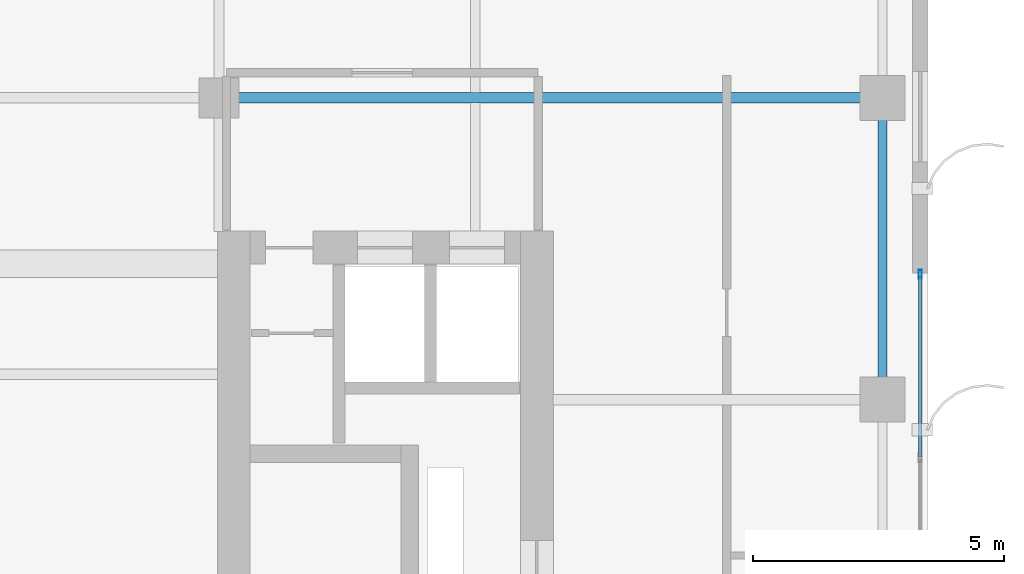
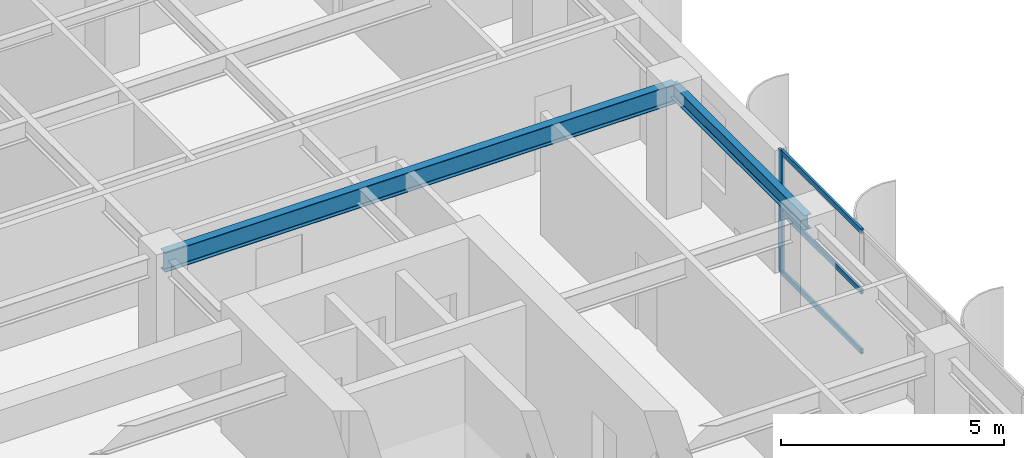
# One storey, part 12 of 25: 4 members, 2 beams, 1 element without a shape of its own.
"""IFC4 building model written with IfcOpenShell, lengths in metres."""

import ifcopenshell
import ifcopenshell.guid

model = None  # the IFC model being written
_history = None  # IfcOwnerHistory: only IFC2X3 demands one
_inside = {}  # id of a spatial element -> (the spatial element, [elements in it])
_under = {}  # id of a project, library or spatial element -> (it, [spatial elements below it])
_declared = {}  # id of a project -> (the project, [libraries it declares])
_typed = {}  # id of a type object -> (the type object, [elements of that type])
_made_of = {}  # id of a material, layer set ... -> (it, [elements and type objects made of it])


def new_model(schema):
    """Start an empty IFC model of exactly this schema.

    Asked for "IFC4X3", IfcOpenShell would pick the latest addendum, in which some entities
    have other attributes; the version numbers below select the first issue.
    IFC2X3 requires an IfcOwnerHistory on every rooted entity: one is made here for all.
    """
    global model, _history
    if schema == "IFC4X3":
        model = ifcopenshell.file(schema_version=(4, 3, 0, 0))
    else:
        model = ifcopenshell.file(schema=schema)
    _inside.clear()
    _under.clear()
    _declared.clear()
    _typed.clear()
    _made_of.clear()
    _history = None
    if model.schema == "IFC2X3":
        org = make("IfcOrganization", Name="unknown")
        user = make(
            "IfcPersonAndOrganization",
            ThePerson=make("IfcPerson", FamilyName="unknown"),
            TheOrganization=org,
        )
        app = make(
            "IfcApplication",
            ApplicationDeveloper=org,
            Version="unknown",
            ApplicationFullName="unknown",
            ApplicationIdentifier="unknown",
        )
        _history = make(
            "IfcOwnerHistory",
            OwningUser=user,
            OwningApplication=app,
            ChangeAction="ADDED",
            CreationDate=0,
        )
    return model


def make(cls, **values):
    """One entity of the class cls with the attributes given. An attribute that is None is left unset."""
    return model.create_entity(
        cls, **{name: value for name, value in values.items() if value is not None}
    )


def rooted(cls, **values):
    """An entity with a GlobalId (a new one), such as an element, a storey or a relation."""
    return make(cls, GlobalId=ifcopenshell.guid.new(), OwnerHistory=_history, **values)


def si_unit(unit_type, name, prefix=None):
    """IfcSIUnit, for example si_unit("LENGTHUNIT", "METRE", prefix="MILLI")."""
    return make("IfcSIUnit", UnitType=unit_type, Prefix=prefix, Name=name)


def assignment(units):
    """IfcUnitAssignment: the units of a project."""
    return None if units is None else make("IfcUnitAssignment", Units=units)


def point(xyz):
    """IfcCartesianPoint."""
    return None if xyz is None else make("IfcCartesianPoint", Coordinates=xyz)


def direction(xyz):
    """IfcDirection."""
    return None if xyz is None else make("IfcDirection", DirectionRatios=xyz)


def frame(location, z_axis=None, x_axis=None):
    """IfcAxis2Placement3D, a coordinate frame: its origin and axes. An axis left out is left unset."""
    return make(
        "IfcAxis2Placement3D",
        Location=point(location),
        Axis=direction(z_axis),
        RefDirection=direction(x_axis),
    )


def frame_2d(location, x_axis=None):
    """IfcAxis2Placement2D, a coordinate frame in the plane: its origin and x axis."""
    return make(
        "IfcAxis2Placement2D", Location=point(location), RefDirection=direction(x_axis)
    )


def origin():
    """The frame at (0, 0, 0) with its axes left unset."""
    return frame((0.0, 0.0, 0.0))


def origin_2d():
    """The frame at (0, 0) in the plane with its x axis left unset."""
    return frame_2d((0.0, 0.0))


def place(relative_to, where):
    """IfcLocalPlacement: puts the frame where relative to a parent placement (None: the world)."""
    return make(
        "IfcLocalPlacement", PlacementRelTo=relative_to, RelativePlacement=where
    )


def context(
    kind, dimensions, precision=None, world=None, true_north=None, identifier=None
):
    """IfcGeometricRepresentationContext, for example the 3D "Model" context."""
    return make(
        "IfcGeometricRepresentationContext",
        ContextIdentifier=identifier,
        ContextType=kind,
        CoordinateSpaceDimension=dimensions,
        Precision=precision,
        WorldCoordinateSystem=world,
        TrueNorth=true_north,
    )


def subcontext(parent, identifier, kind, view, scale=None):
    """IfcGeometricRepresentationSubContext, for example "Body" below "Model"."""
    return make(
        "IfcGeometricRepresentationSubContext",
        ContextIdentifier=identifier,
        ContextType=kind,
        ParentContext=parent,
        TargetScale=scale,
        TargetView=view,
    )


def project(units=None, contexts=None):
    """IfcProject with its units and contexts."""
    return rooted(
        "IfcProject",
        Name="project",
        RepresentationContexts=contexts,
        UnitsInContext=assignment(units),
    )


def spatial(cls, under=None, at=None, **own):
    """A site, building, storey or space (cls), placed at a placement, below another one or the project."""
    s = rooted(cls, ObjectPlacement=at, **own)
    if under is not None:
        _under.setdefault(under.id(), (under, []))[1].append(s)
    return s


def profile(cls, at=None, kind="AREA", **sizes):
    """A parametric profile (cls). Its sizes go by their IFC names, for example OverallWidth=200.0."""
    return make(cls, ProfileType=kind, Position=at, **sizes)


def hollow_rectangle(**sizes):
    """IfcRectangleHollowProfileDef."""
    return profile("IfcRectangleHollowProfileDef", **sizes)


def i_section(**sizes):
    """IfcIShapeProfileDef."""
    return profile("IfcIShapeProfileDef", **sizes)


def extrude(swept, where, along, depth):
    """IfcExtrudedAreaSolid: the profile swept, set in the frame where, extruded along a direction by depth."""
    return make(
        "IfcExtrudedAreaSolid",
        SweptArea=swept,
        Position=where,
        ExtrudedDirection=direction(along),
        Depth=depth,
    )


def shape(context_of_items, identifier, shape_type, items):
    """IfcShapeRepresentation: the items that make up one representation, for example the "Body"."""
    return make(
        "IfcShapeRepresentation",
        ContextOfItems=context_of_items,
        RepresentationIdentifier=identifier,
        RepresentationType=shape_type,
        Items=items,
    )


def source(mapping_origin, context_of_items, identifier, shape_type, items):
    """IfcRepresentationMap: a shape defined once, which mapped items show again and again."""
    return make(
        "IfcRepresentationMap",
        MappingOrigin=mapping_origin,
        MappedRepresentation=shape(context_of_items, identifier, shape_type, items),
    )


def transform(
    local_origin,
    x_axis=None,
    y_axis=None,
    z_axis=None,
    scale=None,
    scale2=None,
    scale3=None,
    uniform=True,
):
    """IfcCartesianTransformationOperator3D, or its non-uniform kind. x_axis, y_axis, z_axis: its Axis1, 2, 3."""
    if uniform:
        return make(
            "IfcCartesianTransformationOperator3D",
            Axis1=direction(x_axis),
            Axis2=direction(y_axis),
            LocalOrigin=point(local_origin),
            Scale=scale,
            Axis3=direction(z_axis),
        )
    return make(
        "IfcCartesianTransformationOperator3DnonUniform",
        Axis1=direction(x_axis),
        Axis2=direction(y_axis),
        LocalOrigin=point(local_origin),
        Scale=scale,
        Axis3=direction(z_axis),
        Scale2=scale2,
        Scale3=scale3,
    )


def mapped(mapping_source, mapping_target):
    """IfcMappedItem: shows the shape of a source again, moved by a transform."""
    return make(
        "IfcMappedItem", MappingSource=mapping_source, MappingTarget=mapping_target
    )


def material(Name=None, Category=None):
    """IfcMaterial."""
    return make("IfcMaterial", Name=Name, Category=Category)


def layer(
    of_material, thickness, ventilated=None, Name=None, Category=None, Priority=None
):
    """IfcMaterialLayer: one layer of a wall or slab, of a material (None: an air gap)."""
    return make(
        "IfcMaterialLayer",
        Material=of_material,
        LayerThickness=thickness,
        IsVentilated=ventilated,
        Name=Name,
        Category=Category,
        Priority=Priority,
    )


def layer_set(layers, Name=None):
    """IfcMaterialLayerSet."""
    return make("IfcMaterialLayerSet", MaterialLayers=layers, LayerSetName=Name)


def material_profile(
    of_material, cross_section, Name=None, Category=None, Priority=None
):
    """IfcMaterialProfile: a cross section and its material."""
    return make(
        "IfcMaterialProfile",
        Name=Name,
        Material=of_material,
        Profile=cross_section,
        Priority=Priority,
        Category=Category,
    )


def profile_set(profiles, Name=None, composite=None):
    """IfcMaterialProfileSet."""
    return make(
        "IfcMaterialProfileSet",
        Name=Name,
        MaterialProfiles=profiles,
        CompositeProfile=composite,
    )


def made_of(thing, what):
    """Note that an element or type object is made of a material, layer set ...; save() writes the relation."""
    if what is not None:
        _made_of.setdefault(what.id(), (what, []))[1].append(thing)
    return thing


def type_object(cls, material=None, **own):
    """A type object (cls), such as IfcWallType, which elements share."""
    return made_of(rooted(cls, **own), material)


def element(
    cls,
    number,
    at=None,
    inside=None,
    cuts=None,
    type_object=None,
    material=None,
    context=None,
    identifier="Body",
    shape_type=None,
    held_by="IfcProductDefinitionShape",
    body=None,
    shapes=None,
    **own,
):
    """One element of the class cls, such as IfcWall. Its Tag is "e" and its number.

    at: its placement. inside: the storey or other place that contains it. cuts: it is an
    opening in that element (IfcRelVoidsElement). A single representation is given by context,
    identifier, shape_type and body (its items); several are given by shapes. held_by: the class
    of the entity that holds the representations. save() writes the other relations.
    """
    e = rooted(cls, Tag="e%d" % number, ObjectPlacement=at, **own)
    if body is not None:
        shapes = [shape(context, identifier, shape_type, body)]
    if shapes is not None:
        e.Representation = make(held_by, Representations=shapes)
    if inside is not None:
        _inside.setdefault(inside.id(), (inside, []))[1].append(e)
    if cuts is not None:
        rooted(
            "IfcRelVoidsElement", RelatingBuildingElement=cuts, RelatedOpeningElement=e
        )
    if type_object is not None:
        _typed.setdefault(type_object.id(), (type_object, []))[1].append(e)
    return made_of(e, material)


def aggregate(whole, parts):
    """IfcRelAggregates: a whole, such as a stair, and the parts it consists of."""
    return rooted("IfcRelAggregates", RelatingObject=whole, RelatedObjects=parts)


def save(model, path):
    """Write the relations noted so far, then the file.

    IfcRelAggregates (storeys below a building ...), IfcRelContainedInSpatialStructure (elements
    in a storey), IfcRelDefinesByType, IfcRelAssociatesMaterial and IfcRelDeclares: one each for
    every whole, place, type object, material and project.
    """
    for whole, parts in _under.values():
        aggregate(whole, parts)
    for where, things in _inside.values():
        rooted(
            "IfcRelContainedInSpatialStructure",
            RelatedElements=things,
            RelatingStructure=where,
        )
    for kind, things in _typed.values():
        rooted("IfcRelDefinesByType", RelatedObjects=things, RelatingType=kind)
    for what, things in _made_of.values():
        rooted("IfcRelAssociatesMaterial", RelatedObjects=things, RelatingMaterial=what)
    for by, libraries in _declared.values():
        rooted("IfcRelDeclares", RelatingContext=by, RelatedDefinitions=libraries)
    model.write(path)


model = new_model("IFC4")

# Units and contexts
model_context = context("Model", 3, precision=1e-05, world=origin(), true_north=direction((0.0, 1.0)))
body_context = subcontext(model_context, "Body", "Model", "MODEL_VIEW")
ifc_project = project(units=[si_unit("LENGTHUNIT", "METRE"), si_unit("AREAUNIT", "SQUARE_METRE"), si_unit("VOLUMEUNIT", "CUBIC_METRE"), si_unit("PLANEANGLEUNIT", "RADIAN"), si_unit("MASSUNIT", "GRAM", prefix="KILO")], contexts=[model_context])

# Site, building, storey
site_placement = place(None, origin())
site = spatial("IfcSite", under=ifc_project, at=site_placement, CompositionType="ELEMENT")
building_placement = place(site_placement, origin())
building = spatial("IfcBuilding", under=site, at=building_placement, Name="Khoralis Quay Care Tower", CompositionType="ELEMENT")
storey_placement = place(building_placement, frame((0.0, 0.0, 166.5)))
storey = spatial("IfcBuildingStorey", under=building, at=storey_placement, Name="L43", CompositionType="ELEMENT", Elevation=166.5)

# Beams
ifc_material_1 = material(Name="Steel S355", Category="steel")
ifc_material_profile_1 = material_profile(ifc_material_1, i_section(OverallWidth=0.179931640625, OverallDepth=0.39990234375, WebThickness=0.008544921875, FlangeThickness=0.013427734375, FilletRadius=0.02099609375, at=origin_2d()), Name="Steel S355")
ifc_profile_set_1 = profile_set([ifc_material_profile_1], Name="Steel S355")
beam_type_1 = type_object("IfcBeamType", Name="BM-IPE400", PredefinedType="SPANDREL", material=ifc_profile_set_1)
shared_shape_1 = source(origin(), body_context, "Body", "SweptSolid", [
    extrude(i_section(OverallWidth=0.179931640625, OverallDepth=0.39990234375, WebThickness=0.008544921875, FlangeThickness=0.013427734375, FilletRadius=0.02099609375, at=origin_2d()), origin(), (0.0, 0.0, 1.0), 6.0),
])
beam_1_placement = place(storey_placement, frame((44.10009765625, 24.0, 3.139892578125), z_axis=(0.0, 1.0, 0.0), x_axis=(-1.0, 0.0, 0.0)))
element("IfcBeam", 1, at=beam_1_placement, inside=storey, type_object=beam_type_1, Name="BM-TSP-L43-17", PredefinedType="SPANDREL", context=body_context, shape_type="MappedRepresentation", body=[
    mapped(shared_shape_1, transform((0.0, 0.0, 0.0), scale=1.0)),
])
ifc_material_profile_2 = material_profile(ifc_material_1, i_section(OverallWidth=0.208984375, OverallDepth=0.532958984375, WebThickness=0.01025390625, FlangeThickness=0.015625, FilletRadius=0.01611328125, at=origin_2d()), Name="Steel S355")
ifc_profile_set_2 = profile_set([ifc_material_profile_2], Name="Steel S355")
beam_type_2 = type_object("IfcBeamType", Name="BM-W530X92", PredefinedType="BEAM", material=ifc_profile_set_2)
shared_shape_2 = source(origin(), body_context, "Body", "SweptSolid", [
    extrude(i_section(OverallWidth=0.208984375, OverallDepth=0.532958984375, WebThickness=0.01025390625, FlangeThickness=0.015625, FilletRadius=0.01611328125, at=origin_2d()), origin(), (0.0, 0.0, 1.0), 13.2001953125),
])
beam_2_placement = place(storey_placement, frame((30.89990234375, 30.0, 3.073486328125), z_axis=(1.0, 0.0, 0.0), x_axis=(0.0, 1.0, 0.0)))
element("IfcBeam", 2, at=beam_2_placement, inside=storey, type_object=beam_type_2, Name="BM-TGXE-L43-300", PredefinedType="BEAM", context=body_context, shape_type="MappedRepresentation", body=[
    mapped(shared_shape_2, transform((0.0, 0.0, 0.0), scale=1.0)),
])

# Curtain wall, members
ifc_material_2 = material(Name="Pale anodised aluminium", Category="aluminium")
ifc_layer = layer(ifc_material_2, 0.159912109375)
ifc_layer_set = layer_set([ifc_layer], Name="Pale anodised aluminium")
curtain_wall_type = type_object("IfcCurtainWallType", Name="CW-SYS-Z3", PredefinedType="NOTDEFINED", material=ifc_layer_set)
curtain_wall_placement = place(storey_placement, origin())
curtain_wall = element("IfcCurtainWall", 3, at=curtain_wall_placement, inside=storey, type_object=curtain_wall_type, Name="L43 Unitised Curtain Wall CW-L43-P1-E5", PredefinedType="NOTDEFINED")
ifc_material_profile_3 = material_profile(ifc_material_2, hollow_rectangle(XDim=0.06494140625, YDim=0.179931640625, WallThickness=0.00390625, at=origin_2d()), Name="Pale anodised aluminium")
ifc_profile_set_3 = profile_set([ifc_material_profile_3], Name="Pale anodised aluminium")
member_type_1 = type_object("IfcMemberType", Name="CW-MUL-180", PredefinedType="MULLION", material=ifc_profile_set_3)
shared_shape_3 = source(origin(), body_context, "Body", "SweptSolid", [
    extrude(hollow_rectangle(XDim=0.06494140625, YDim=0.179931640625, WallThickness=0.00390625, at=origin_2d()), origin(), (0.0, 0.0, 1.0), 3.340087890625),
])
member_1_placement = place(storey_placement, frame((44.85009765625, 26.489990234375, 0.0), z_axis=(0.0, 0.0, 1.0), x_axis=(-1.0, 0.0, 0.0)))
member_1 = element("IfcMember", 4, at=member_1_placement, type_object=member_type_1, Name="CW3 mullion 4", PredefinedType="MULLION", context=body_context, shape_type="MappedRepresentation", body=[
    mapped(shared_shape_3, transform((0.0, 0.0, 0.0), scale=1.0)),
])
ifc_material_profile_4 = material_profile(ifc_material_2, hollow_rectangle(XDim=0.06005859375, YDim=0.139892578125, WallThickness=0.00390625, at=origin_2d()), Name="Pale anodised aluminium")
ifc_profile_set_4 = profile_set([ifc_material_profile_4], Name="Pale anodised aluminium")
member_type_2 = type_object("IfcMemberType", Name="CW-TRN-140", PredefinedType="USERDEFINED", material=ifc_profile_set_4)
shared_shape_4 = source(origin(), body_context, "Body", "SweptSolid", [
    extrude(hollow_rectangle(XDim=0.06005859375, YDim=0.139892578125, WallThickness=0.00390625, at=origin_2d()), origin(), (0.0, 0.0, 1.0), 3.58984375),
])
member_2_placement = place(storey_placement, frame((44.85009765625, 22.8701171875, 0.030029296875), z_axis=(0.0, 1.0, 0.0), x_axis=(-1.0, 0.0, 0.0)))
member_2 = element("IfcMember", 5, at=member_2_placement, type_object=member_type_2, Name="CW3 transom 3.1", ObjectType="TRANSOM", PredefinedType="USERDEFINED", context=body_context, shape_type="MappedRepresentation", body=[
    mapped(shared_shape_4, transform((0.0, 0.0, 0.0), scale=1.0)),
])
member_3_placement = place(storey_placement, frame((44.85009765625, 22.8701171875, 1.669921875), z_axis=(0.0, 1.0, 0.0), x_axis=(-1.0, 0.0, 0.0)))
member_3 = element("IfcMember", 6, at=member_3_placement, type_object=member_type_2, Name="CW3 transom 3.2", ObjectType="TRANSOM", PredefinedType="USERDEFINED", context=body_context, shape_type="MappedRepresentation", body=[
    mapped(shared_shape_4, transform((0.0, 0.0, 0.0), scale=1.0)),
])
member_4_placement = place(storey_placement, frame((44.85009765625, 22.8701171875, 3.31005859375), z_axis=(0.0, 1.0, 0.0), x_axis=(-1.0, 0.0, 0.0)))
member_4 = element("IfcMember", 7, at=member_4_placement, type_object=member_type_2, Name="CW3 transom 3.3", ObjectType="TRANSOM", PredefinedType="USERDEFINED", context=body_context, shape_type="MappedRepresentation", body=[
    mapped(shared_shape_4, transform((0.0, 0.0, 0.0), scale=1.0)),
])
aggregate(curtain_wall, [member_1, member_2, member_3, member_4])

save(model, "model.ifc")
